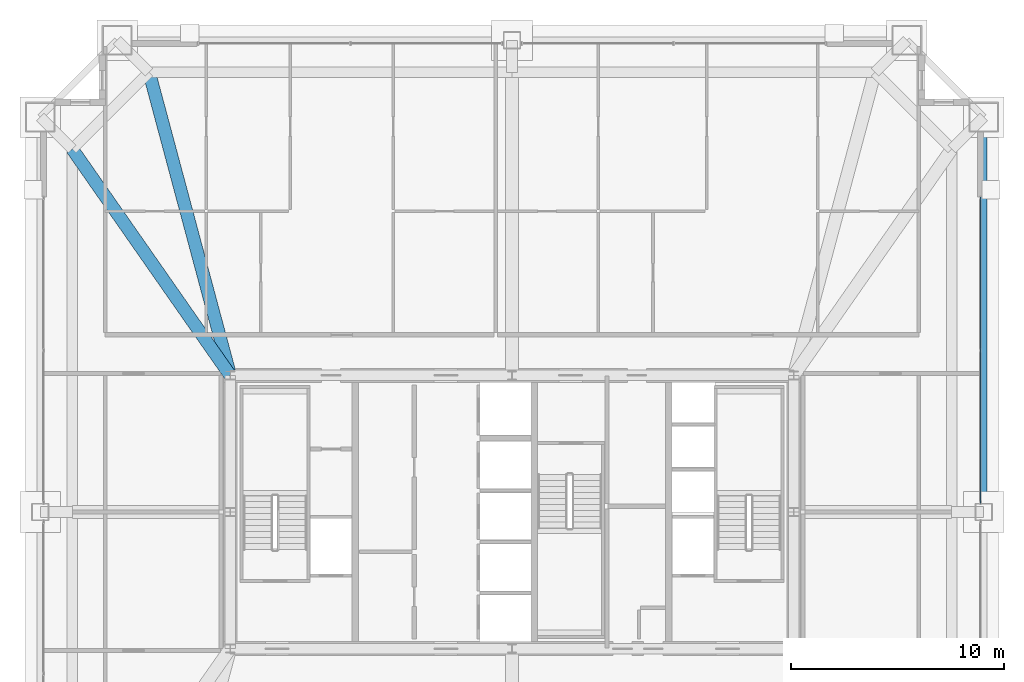
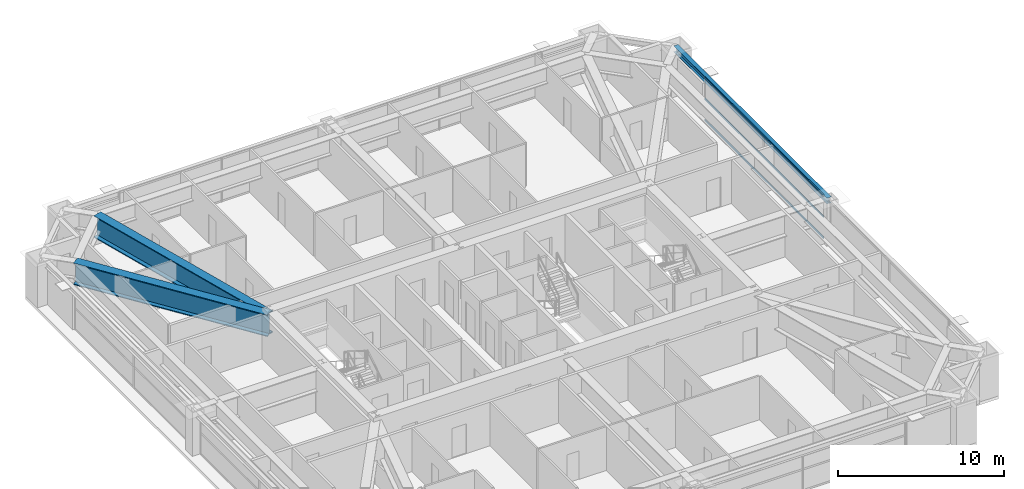
# One storey, part 23 of 39: 3 beams, 3 members, 1 element without a shape of its own.
"""IFC4 building model written with IfcOpenShell, lengths in metres."""

from ifc_helpers import new_model, si_unit, direction, frame, origin, origin_2d, place, context, subcontext, project, spatial, hollow_rectangle, i_section, extrude, source, transform, mapped, material, layer, layer_set, material_profile, profile_set, type_object, element, aggregate, save


model = new_model("IFC4")

# Units and contexts
model_context = context("Model", 3, precision=1e-05, world=origin(), true_north=direction((0.0, 1.0)))
body_context = subcontext(model_context, "Body", "Model", "MODEL_VIEW")
ifc_project = project(units=[si_unit("LENGTHUNIT", "METRE"), si_unit("AREAUNIT", "SQUARE_METRE"), si_unit("VOLUMEUNIT", "CUBIC_METRE"), si_unit("PLANEANGLEUNIT", "RADIAN"), si_unit("MASSUNIT", "GRAM", prefix="KILO"), si_unit("THERMODYNAMICTEMPERATUREUNIT", "KELVIN"), si_unit("POWERUNIT", "WATT")], contexts=[model_context])

# Site, building, storey
site_placement = place(None, origin())
site = spatial("IfcSite", under=ifc_project, at=site_placement, CompositionType="ELEMENT")
building_placement = place(site_placement, origin())
building = spatial("IfcBuilding", under=site, at=building_placement, Name="Yuzanri Waterfront Tower", CompositionType="ELEMENT")
storey_placement = place(building_placement, frame((0.0, 0.0, 216.0)))
storey = spatial("IfcBuildingStorey", under=building, at=storey_placement, Name="L57", CompositionType="ELEMENT", Elevation=216.0)

# Beams
ifc_material_1 = material(Name="Steel Q355B", Category="steel")
ifc_material_profile_1 = material_profile(ifc_material_1, i_section(OverallWidth=0.300048828125, OverallDepth=0.43994140625, WebThickness=0.010986328125, FlangeThickness=0.01806640625, at=origin_2d()), Name="HM 440x300x11x18")
ifc_profile_set_1 = profile_set([ifc_material_profile_1], Name="Steel Q355B")
beam_type_1 = type_object("IfcBeamType", Name="Perimeter Spandrel Q355B HM 440x300", PredefinedType="SPANDREL", material=ifc_profile_set_1)
shared_shape_1 = source(origin(), body_context, "Body", "SweptSolid", [
    extrude(i_section(OverallWidth=0.300048828125, OverallDepth=0.43994140625, WebThickness=0.010986328125, FlangeThickness=0.01806640625, at=origin_2d()), origin(), (0.0, 0.0, 1.0), 18.5),
])
beam_1_placement = place(storey_placement, frame((59.10009765625, 25.800048828125, 3.0), z_axis=(0.0, 1.0, 0.0), x_axis=(-1.0, 0.0, 0.0)))
element("IfcBeam", 1, at=beam_1_placement, inside=storey, type_object=beam_type_1, Name="L57 Perimeter Spandrel E2-E3", PredefinedType="SPANDREL", context=body_context, shape_type="MappedRepresentation", body=[
    mapped(shared_shape_1, transform((0.0, 0.0, 0.0), scale=1.0)),
])
ifc_material_2 = material(Name="Steel Q420GJC", Category="steel")
ifc_material_profile_2 = material_profile(ifc_material_2, i_section(OverallWidth=0.60009765625, OverallDepth=1.60009765625, WebThickness=0.031982421875, FlangeThickness=0.06005859375, at=origin_2d()), Name="PG 1600x600x32x60")
ifc_profile_set_2 = profile_set([ifc_material_profile_2], Name="Steel Q420GJC")
beam_type_2 = type_object("IfcBeamType", Name="Ballroom Transfer Girder Q420GJC PG 1600x600", PredefinedType="USERDEFINED", material=ifc_profile_set_2)
shared_shape_2 = source(origin(), body_context, "Body", "SweptSolid", [
    extrude(i_section(OverallWidth=0.60009765625, OverallDepth=1.60009765625, WebThickness=0.031982421875, FlangeThickness=0.06005859375, at=origin_2d()), origin(), (0.0, 0.0, 1.0), 14.69970703125),
])
beam_2_placement = place(storey_placement, frame((23.800048828125, 32.199951171875, 2.419921875), z_axis=(-0.258513312202, 0.966007695318, 0.0), x_axis=(-0.966007695318, -0.258513312202, 0.0)))
element("IfcBeam", 2, at=beam_2_placement, inside=storey, type_object=beam_type_2, Name="L57 Setback Inner Transfer N1", ObjectType="GIRDER", PredefinedType="USERDEFINED", context=body_context, shape_type="MappedRepresentation", body=[
    mapped(shared_shape_2, transform((0.0, 0.0, 0.0), scale=1.0)),
])
shared_shape_3 = source(origin(), body_context, "Body", "SweptSolid", [
    extrude(i_section(OverallWidth=0.60009765625, OverallDepth=1.60009765625, WebThickness=0.031982421875, FlangeThickness=0.06005859375, at=origin_2d()), origin(), (0.0, 0.0, 1.0), 12.927734375),
])
beam_3_placement = place(storey_placement, frame((23.800048828125, 32.199951171875, 2.419921875), z_axis=(-0.572427640484, 0.819955240492, 0.0), x_axis=(-0.819955240492, -0.572427640484, 0.0)))
element("IfcBeam", 3, at=beam_3_placement, inside=storey, type_object=beam_type_2, Name="L57 Setback Inner Transfer W3", ObjectType="GIRDER", PredefinedType="USERDEFINED", context=body_context, shape_type="MappedRepresentation", body=[
    mapped(shared_shape_3, transform((0.0, 0.0, 0.0), scale=1.0)),
])

# Curtain wall, members
ifc_material_3 = material(Name="Anodized Architectural Bronze", Category="metal")
ifc_layer = layer(ifc_material_3, 0.159912109375)
ifc_layer_set = layer_set([ifc_layer], Name="Anodized Architectural Bronze")
curtain_wall_type = type_object("IfcCurtainWallType", Name="Anodized Bronze Mid-Rise Residential Acoustic Unitized Curtain Wall 7200", PredefinedType="NOTDEFINED", material=ifc_layer_set)
curtain_wall_placement = place(storey_placement, origin())
curtain_wall = element("IfcCurtainWall", 4, at=curtain_wall_placement, inside=storey, type_object=curtain_wall_type, Name="L57 Curtain Wall CW-L57-ER", PredefinedType="NOTDEFINED")
ifc_material_4 = material(Name="Anodized Architectural Bronze", Category="metal")
ifc_material_profile_3 = material_profile(ifc_material_4, hollow_rectangle(XDim=0.06494140625, YDim=0.1201171875, WallThickness=0.00341796875, at=origin_2d()), Name="CWT 65x120")
ifc_profile_set_3 = profile_set([ifc_material_profile_3], Name="Anodized Architectural Bronze")
member_type = type_object("IfcMemberType", Name="Anodized Bronze Secondary Curtain-Wall Transom 65x120", PredefinedType="USERDEFINED", material=ifc_profile_set_3)
shared_shape_4 = source(origin(), body_context, "Body", "SweptSolid", [
    extrude(hollow_rectangle(XDim=0.06494140625, YDim=0.1201171875, WallThickness=0.00341796875, at=origin_2d()), origin(), (0.0, 0.0, 1.0), 14.35009765625),
])
member_1_placement = place(storey_placement, frame((58.949951171875, 26.199951171875, 0.050048828125), z_axis=(0.0, 1.0, 0.0), x_axis=(-1.0, 0.0, 0.0)))
member_1 = element("IfcMember", 5, at=member_1_placement, type_object=member_type, Name="CW-L57-ER Transom 1", ObjectType="TRANSOM", PredefinedType="USERDEFINED", context=body_context, shape_type="MappedRepresentation", body=[
    mapped(shared_shape_4, transform((0.0, 0.0, 0.0), scale=1.0)),
])
member_2_placement = place(storey_placement, frame((58.949951171875, 26.199951171875, 1.610107421875), z_axis=(0.0, 1.0, 0.0), x_axis=(-1.0, 0.0, 0.0)))
member_2 = element("IfcMember", 6, at=member_2_placement, type_object=member_type, Name="CW-L57-ER Transom 2", ObjectType="TRANSOM", PredefinedType="USERDEFINED", context=body_context, shape_type="MappedRepresentation", body=[
    mapped(shared_shape_4, transform((0.0, 0.0, 0.0), scale=1.0)),
])
member_3_placement = place(storey_placement, frame((58.949951171875, 26.199951171875, 3.169921875), z_axis=(0.0, 1.0, 0.0), x_axis=(-1.0, 0.0, 0.0)))
member_3 = element("IfcMember", 7, at=member_3_placement, type_object=member_type, Name="CW-L57-ER Transom 3", ObjectType="TRANSOM", PredefinedType="USERDEFINED", context=body_context, shape_type="MappedRepresentation", body=[
    mapped(shared_shape_4, transform((0.0, 0.0, 0.0), scale=1.0)),
])
aggregate(curtain_wall, [member_1, member_2, member_3])

save(model, "model.ifc")
